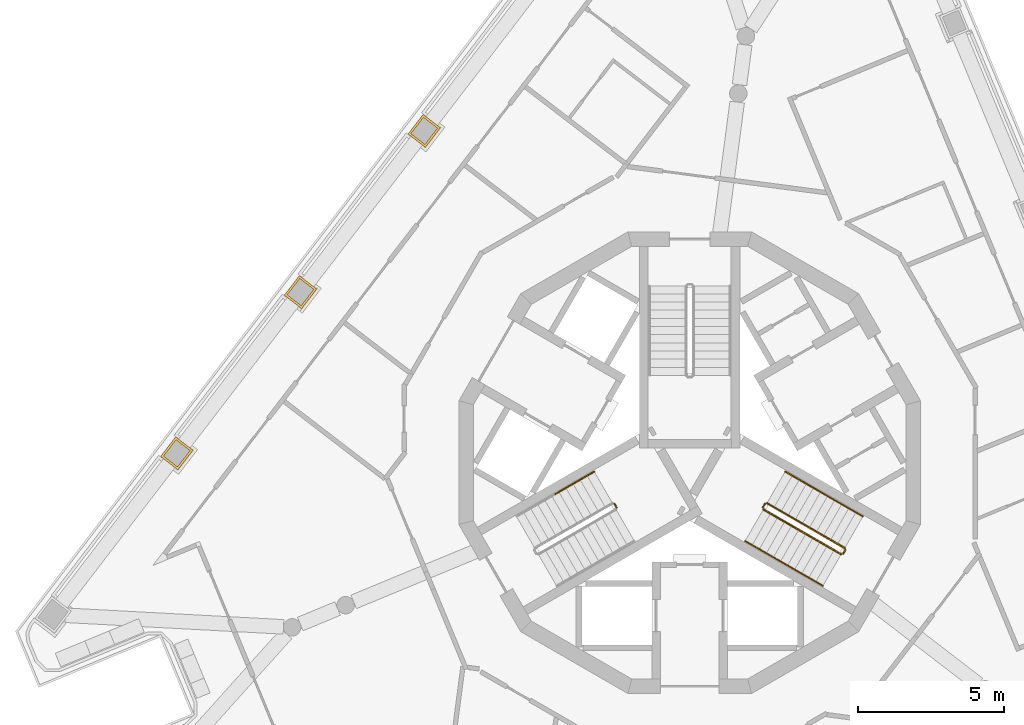
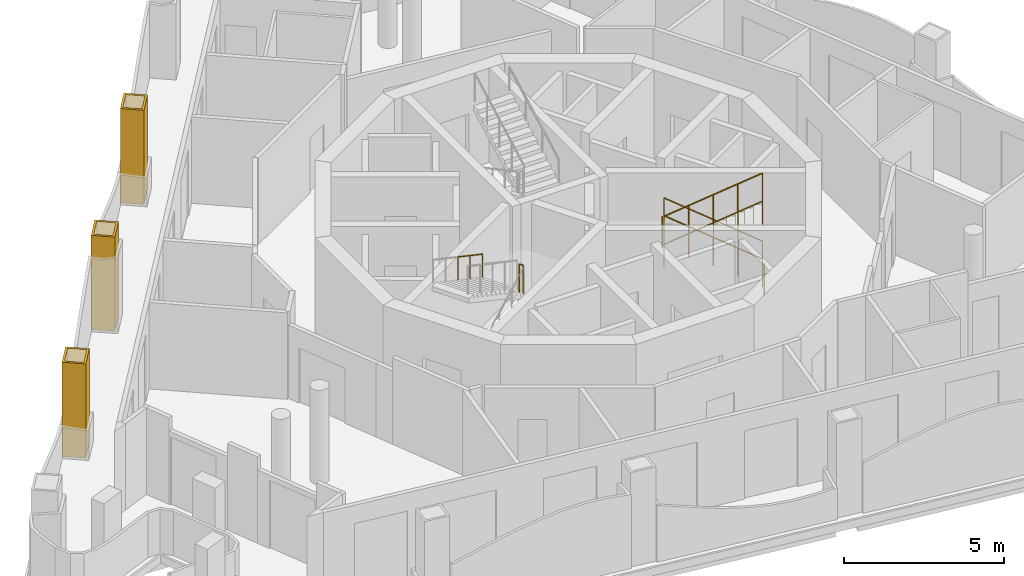
# One storey, part 9 of 13: 10 railings, 3 coverings.
"""IFC4 building model written with IfcOpenShell, lengths in metres."""

from ifc_helpers import new_model, si_unit, direction, frame, origin, origin_2d, place, context, subcontext, project, spatial, polyline, circle, outline, extrude, material, layer, layer_set, type_object, element, save


model = new_model("IFC4")

# Units and contexts
model_context = context("Model", 3, precision=1e-05, world=origin(), true_north=direction((0.0, 1.0)))
body_context = subcontext(model_context, "Body", "Model", "MODEL_VIEW")
ifc_project = project(units=[si_unit("LENGTHUNIT", "METRE"), si_unit("AREAUNIT", "SQUARE_METRE"), si_unit("VOLUMEUNIT", "CUBIC_METRE"), si_unit("PLANEANGLEUNIT", "RADIAN"), si_unit("MASSUNIT", "GRAM", prefix="KILO")], contexts=[model_context])

# Site, building, storey
site_placement = place(None, origin())
site = spatial("IfcSite", under=ifc_project, at=site_placement, CompositionType="ELEMENT")
building_placement = place(site_placement, origin())
building = spatial("IfcBuilding", under=site, at=building_placement, Name="Trine Commons Tower", CompositionType="ELEMENT")
storey_placement = place(building_placement, frame((0.0, 0.0, 286.199951171875)))
storey = spatial("IfcBuildingStorey", under=building, at=storey_placement, Name="L75", CompositionType="ELEMENT", Elevation=286.199951171875)

# Coverings
ifc_material_1 = material(Name="Limestone, honed", Category="masonry")
ifc_layer = layer(ifc_material_1, 0.074951171875)
ifc_layer_set = layer_set([ifc_layer], Name="Limestone, honed")
covering_type = type_object("IfcCoveringType", Name="Limestone column cladding 75", PredefinedType="CLADDING", material=ifc_layer_set)
covering_1_placement = place(storey_placement, origin())
element("IfcCovering", 1, at=covering_1_placement, inside=storey, type_object=covering_type, Name="Limestone pier cladding 8-08", PredefinedType="CLADDING", context=body_context, shape_type="SweptSolid", body=[
    extrude(outline(polyline([(62.95751953125, 62.929443359375), (62.362548828125, 63.385986328125), (61.84521484375, 62.711669921875), (62.440185546875, 62.2548828125), (62.95751953125, 62.929443359375)]), holes=[polyline([(62.8525390625, 62.91552734375), (62.37646484375, 63.28076171875), (61.9501953125, 62.7255859375), (62.42626953125, 62.360107421875), (62.8525390625, 62.91552734375)])]), origin(), (0.0, 0.0, 1.0), 3.60009765625),
])
covering_2_placement = place(storey_placement, origin())
element("IfcCovering", 2, at=covering_2_placement, inside=storey, type_object=covering_type, Name="Limestone pier cladding 8-09", PredefinedType="CLADDING", context=body_context, shape_type="SweptSolid", body=[
    extrude(outline(polyline([(67.202392578125, 68.461181640625), (66.607421875, 68.91796875), (66.08984375, 68.243408203125), (66.684814453125, 67.786865234375), (67.202392578125, 68.461181640625)]), holes=[polyline([(67.09716796875, 68.447509765625), (66.62109375, 68.812744140625), (66.195068359375, 68.25732421875), (66.6708984375, 67.89208984375), (67.09716796875, 68.447509765625)])]), origin(), (0.0, 0.0, 1.0), 3.60009765625),
])
covering_3_placement = place(storey_placement, origin())
element("IfcCovering", 3, at=covering_3_placement, inside=storey, type_object=covering_type, Name="Limestone pier cladding 8-10", PredefinedType="CLADDING", context=body_context, shape_type="SweptSolid", body=[
    extrude(outline(polyline([(71.447021484375, 73.9931640625), (70.85205078125, 74.44970703125), (70.334716796875, 73.775390625), (70.9296875, 73.318603515625), (71.447021484375, 73.9931640625)]), holes=[polyline([(71.341796875, 73.979248046875), (70.865966796875, 74.344482421875), (70.439697265625, 73.789306640625), (70.915771484375, 73.423828125), (71.341796875, 73.979248046875)])]), origin(), (0.0, 0.0, 1.0), 3.60009765625),
])

# Railings
ifc_material_2 = material(Name="Stainless steel balustrade", Category="steel")
railing_type_1 = type_object("IfcRailingType", Name="Stair guard, steel balustrade 1100", PredefinedType="GUARDRAIL", material=ifc_material_2)
railing_1_placement = place(storey_placement, frame((77.490966796875, 60.96484375, 1.800048828125)))
element("IfcRailing", 4, at=railing_1_placement, inside=storey, type_object=railing_type_1, Name="L75 ST2D stair guard 2", PredefinedType="GUARDRAIL", context=body_context, shape_type="SweptSolid", body=[
    extrude(circle(Radius=0.02392578125, at=origin_2d()), frame((0.0, 0.0, 1.076171875), z_axis=(-0.501036270542, 0.865426285481, 0.0), x_axis=(-0.865426285481, -0.501036270542, 0.0)), (0.0, 0.0, 1.0), 0.150146484375),
    extrude(circle(Radius=0.02099609375, at=origin_2d()), origin(), (0.0, 0.0, 1.0), 1.052001953125),
    extrude(circle(Radius=0.02099609375, at=origin_2d()), frame((-0.0751953125, 0.1298828125, 0.0)), (0.0, 0.0, 1.0), 1.052001953125),
])
railing_2_placement = place(storey_placement, frame((85.31982421875, 59.572998046875, 0.150146484375)))
element("IfcRailing", 5, at=railing_2_placement, inside=storey, type_object=railing_type_1, Name="L75 ST3D stair guard 1", PredefinedType="GUARDRAIL", context=body_context, shape_type="SweptSolid", body=[
    extrude(circle(Radius=0.02392578125, at=origin_2d()), frame((0.0, 0.0, 1.076171875), z_axis=(-0.76340495495, 0.440743040072, 0.472184759798), x_axis=(-0.499992328818, -0.866029832698, 0.0)), (0.0, 0.0, 1.0), 3.494140625),
    extrude(circle(Radius=0.02099609375, at=origin_2d()), origin(), (0.0, 0.0, 1.0), 1.052001953125),
    extrude(circle(Radius=0.02099609375, at=origin_2d()), frame((-0.6669921875, 0.385009765625, 0.41259765625)), (0.0, 0.0, 1.0), 1.052001953125),
    extrude(circle(Radius=0.02099609375, at=origin_2d()), frame((-1.333740234375, 0.77001953125, 0.824951171875)), (0.0, 0.0, 1.0), 1.052001953125),
    extrude(circle(Radius=0.02099609375, at=origin_2d()), frame((-2.00048828125, 1.155029296875, 1.2373046875)), (0.0, 0.0, 1.0), 1.052001953125),
    extrude(circle(Radius=0.02099609375, at=origin_2d()), frame((-2.66748046875, 1.5400390625, 1.64990234375)), (0.0, 0.0, 1.0), 1.052001953125),
])
railing_3_placement = place(storey_placement, frame((82.584228515625, 61.0947265625, 1.800048828125)))
element("IfcRailing", 6, at=railing_3_placement, inside=storey, type_object=railing_type_1, Name="L75 ST3D stair guard 2", PredefinedType="GUARDRAIL", context=body_context, shape_type="SweptSolid", body=[
    extrude(circle(Radius=0.02392578125, at=origin_2d()), frame((0.0, 0.0, 1.076171875), z_axis=(-0.501036270542, -0.865426285481, 0.0), x_axis=(0.865426285481, -0.501036270542, 0.0)), (0.0, 0.0, 1.0), 0.150146484375),
    extrude(circle(Radius=0.02099609375, at=origin_2d()), origin(), (0.0, 0.0, 1.0), 1.052001953125),
    extrude(circle(Radius=0.02099609375, at=origin_2d()), frame((-0.0751953125, -0.1298828125, 0.0)), (0.0, 0.0, 1.0), 1.052001953125),
])
railing_4_placement = place(storey_placement, frame((82.52734375, 60.896484375, 1.949951171875)))
element("IfcRailing", 7, at=railing_4_placement, inside=storey, type_object=railing_type_1, Name="L75 ST3D stair guard 3", PredefinedType="GUARDRAIL", context=body_context, shape_type="SweptSolid", body=[
    extrude(circle(Radius=0.02392578125, at=origin_2d()), frame((0.0, 0.0, 1.076171875), z_axis=(0.763379768245, -0.440728498818, 0.472239049384), x_axis=(0.499992328818, 0.866029832698, 0.0)), (0.0, 0.0, 1.0), 3.494384765625),
    extrude(circle(Radius=0.02099609375, at=origin_2d()), origin(), (0.0, 0.0, 1.0), 1.052001953125),
    extrude(circle(Radius=0.02099609375, at=origin_2d()), frame((0.6669921875, -0.385009765625, 0.41259765625)), (0.0, 0.0, 1.0), 1.052001953125),
    extrude(circle(Radius=0.02099609375, at=origin_2d()), frame((1.333740234375, -0.77001953125, 0.8251953125)), (0.0, 0.0, 1.0), 1.052001953125),
    extrude(circle(Radius=0.02099609375, at=origin_2d()), frame((2.00048828125, -1.155029296875, 1.237548828125)), (0.0, 0.0, 1.0), 1.052001953125),
    extrude(circle(Radius=0.02099609375, at=origin_2d()), frame((2.66748046875, -1.5400390625, 1.650146484375)), (0.0, 0.0, 1.0), 1.052001953125),
])
railing_5_placement = place(storey_placement, frame((85.338134765625, 59.504638671875, 0.0)))
element("IfcRailing", 8, at=railing_5_placement, inside=storey, type_object=railing_type_1, Name="L75 ST3D stair guard 4", PredefinedType="GUARDRAIL", context=body_context, shape_type="SweptSolid", body=[
    extrude(circle(Radius=0.02392578125, at=origin_2d()), frame((0.0, 0.0, 1.076171875), z_axis=(-0.499816412211, -0.866131372301, 0.0), x_axis=(0.866131372301, -0.499816412211, 0.0)), (0.0, 0.0, 1.0), 0.14990234375),
    extrude(circle(Radius=0.02099609375, at=origin_2d()), origin(), (0.0, 0.0, 1.0), 1.052001953125),
    extrude(circle(Radius=0.02099609375, at=origin_2d()), frame((-0.074951171875, -0.1298828125, 0.0)), (0.0, 0.0, 1.0), 1.052001953125),
])
ifc_material_3 = material(Name="Stainless steel handrail", Category="steel")
railing_type_2 = type_object("IfcRailingType", Name="Stair handrail, steel 900", PredefinedType="HANDRAIL", material=ifc_material_3)
railing_6_placement = place(storey_placement, frame((76.72265625, 62.195556640625, 1.949951171875)))
element("IfcRailing", 9, at=railing_6_placement, inside=storey, type_object=railing_type_2, Name="L75 ST2D stair handrail 3", PredefinedType="HANDRAIL", context=body_context, shape_type="SweptSolid", body=[
    extrude(circle(Radius=0.02099609375, at=origin_2d()), frame((0.0, 0.0, 0.87890625), z_axis=(-0.763354580307, -0.440713956853, 0.472293333596), x_axis=(0.499992328818, -0.866029832698, 0.0)), (0.0, 0.0, 1.0), 1.747314453125),
    extrude(circle(Radius=0.01513671875, at=origin_2d()), origin(), (0.0, 0.0, 1.0), 0.85791015625),
    extrude(circle(Radius=0.01513671875, at=origin_2d()), frame((-0.6669921875, -0.385009765625, 0.41259765625)), (0.0, 0.0, 1.0), 0.85791015625),
    extrude(circle(Radius=0.01513671875, at=origin_2d()), frame((-1.333740234375, -0.77001953125, 0.8251953125)), (0.0, 0.0, 1.0), 0.85791015625),
])
for number, where, name in (
    (10, (85.94482421875, 60.655517578125, 0.150146484375), "L75 ST3D stair handrail 1"),
    (11, (84.611083984375, 61.425537109375, 0.97509765625), "L75 ST3D stair handrail 2"),
):
    element("IfcRailing", number, at=place(storey_placement, frame(where)), inside=storey, type_object=railing_type_2, Name=name, PredefinedType="HANDRAIL", context=body_context, shape_type="SweptSolid", body=[
        extrude(circle(Radius=0.02099609375, at=origin_2d()), frame((0.0, 0.0, 0.87890625), z_axis=(-0.76340495495, 0.440743040072, 0.472184759798), x_axis=(-0.499992328818, -0.866029832698, 0.0)), (0.0, 0.0, 1.0), 1.7470703125),
        extrude(circle(Radius=0.01513671875, at=origin_2d()), origin(), (0.0, 0.0, 1.0), 0.85791015625),
        extrude(circle(Radius=0.01513671875, at=origin_2d()), frame((-0.6669921875, 0.385009765625, 0.41259765625)), (0.0, 0.0, 1.0), 0.85791015625),
        extrude(circle(Radius=0.01513671875, at=origin_2d()), frame((-1.333740234375, 0.77001953125, 0.824951171875)), (0.0, 0.0, 1.0), 0.85791015625),
    ])
railing_7_placement = place(storey_placement, frame((81.90234375, 59.81396484375, 1.949951171875)))
element("IfcRailing", 12, at=railing_7_placement, inside=storey, type_object=railing_type_2, Name="L75 ST3D stair handrail 3", PredefinedType="HANDRAIL", context=body_context, shape_type="SweptSolid", body=[
    extrude(circle(Radius=0.02099609375, at=origin_2d()), frame((0.0, 0.0, 0.87890625), z_axis=(0.763354580307, -0.440713956853, 0.472293333596), x_axis=(0.499992328818, 0.866029832698, 0.0)), (0.0, 0.0, 1.0), 1.747314453125),
    extrude(circle(Radius=0.01513671875, at=origin_2d()), origin(), (0.0, 0.0, 1.0), 0.85791015625),
    extrude(circle(Radius=0.01513671875, at=origin_2d()), frame((0.6669921875, -0.385009765625, 0.41259765625)), (0.0, 0.0, 1.0), 0.85791015625),
    extrude(circle(Radius=0.01513671875, at=origin_2d()), frame((1.333740234375, -0.77001953125, 0.8251953125)), (0.0, 0.0, 1.0), 0.85791015625),
])
railing_8_placement = place(storey_placement, frame((83.236083984375, 59.0439453125, 2.775146484375)))
element("IfcRailing", 13, at=railing_8_placement, inside=storey, type_object=railing_type_2, Name="L75 ST3D stair handrail 4", PredefinedType="HANDRAIL", context=body_context, shape_type="SweptSolid", body=[
    extrude(circle(Radius=0.02099609375, at=origin_2d()), frame((0.0, 0.0, 0.87890625), z_axis=(0.76340495495, -0.440743040072, 0.472184759798), x_axis=(0.499992328818, 0.866029832698, 0.0)), (0.0, 0.0, 1.0), 1.7470703125),
    extrude(circle(Radius=0.01513671875, at=origin_2d()), origin(), (0.0, 0.0, 1.0), 0.85791015625),
    extrude(circle(Radius=0.01513671875, at=origin_2d()), frame((0.6669921875, -0.385009765625, 0.41259765625)), (0.0, 0.0, 1.0), 0.85791015625),
    extrude(circle(Radius=0.01513671875, at=origin_2d()), frame((1.333740234375, -0.77001953125, 0.824951171875)), (0.0, 0.0, 1.0), 0.85791015625),
])

save(model, "model.ifc")
